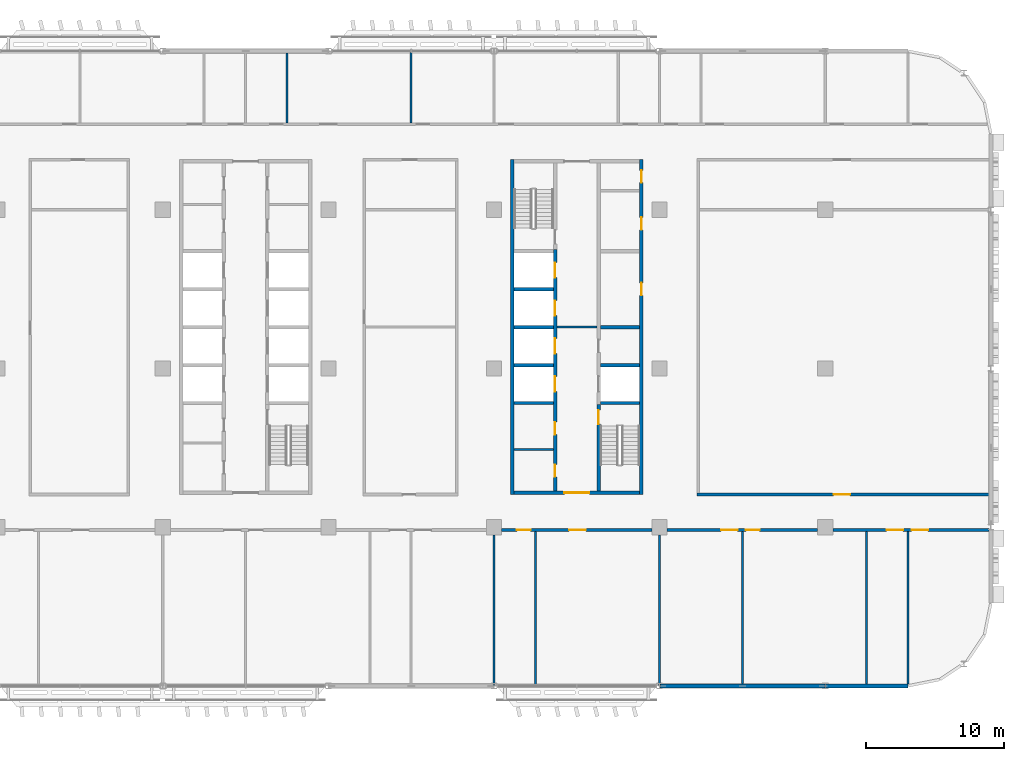
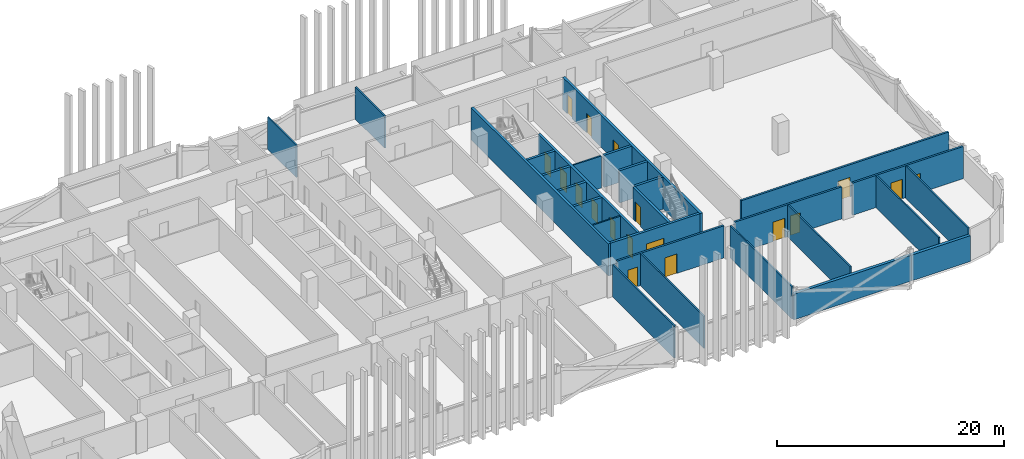
# One storey, part 13 of 28: 28 walls, 18 doors, 18 openings.
"""IFC4 building model written with IfcOpenShell, lengths in metres."""

from ifc_helpers import new_model, si_unit, direction, frame, frame_2d, origin, place, context, subcontext, project, spatial, rectangle, extrude, material, layer, layer_set, type_object, element, fill, save


model = new_model("IFC4")

# Units and contexts
model_context = context("Model", 3, precision=1e-05, world=origin(), true_north=direction((0.0, 1.0)))
body_context = subcontext(model_context, "Body", "Model", "MODEL_VIEW")
ifc_project = project(units=[si_unit("LENGTHUNIT", "METRE"), si_unit("AREAUNIT", "SQUARE_METRE"), si_unit("VOLUMEUNIT", "CUBIC_METRE"), si_unit("PLANEANGLEUNIT", "RADIAN"), si_unit("MASSUNIT", "GRAM", prefix="KILO")], contexts=[model_context])

# Site, building, storey
site_placement = place(None, origin())
site = spatial("IfcSite", under=ifc_project, at=site_placement, CompositionType="ELEMENT")
building_placement = place(site_placement, origin())
building = spatial("IfcBuilding", under=site, at=building_placement, Name="Mahtab Terrace Research Tower", CompositionType="ELEMENT")
storey_placement = place(building_placement, frame((0.0, 0.0, 193.89990234375)))
storey = spatial("IfcBuildingStorey", under=building, at=storey_placement, Name="L46", CompositionType="ELEMENT", Elevation=193.89990234375)

# Walls
ifc_material_1 = material(Name="Gypsum board partition")
ifc_layer_1 = layer(ifc_material_1, 0.14990234375)
ifc_layer_set_1 = layer_set([ifc_layer_1], Name="Core partition 150")
wall_type_1 = type_object("IfcWallType", Name="Core partition 150", PredefinedType="PARTITIONING", material=ifc_layer_set_1)
wall_1_placement = place(storey_placement, frame((22.550048828125, 3.0, 0.0), z_axis=(0.0, 0.0, 1.0), x_axis=(1.0, 0.0, 0.0)))
element("IfcWall", 1, at=wall_1_placement, inside=storey, type_object=wall_type_1, Name="Core wall C ffl", PredefinedType="PARTITIONING", context=body_context, shape_type="SweptSolid", body=[
    extrude(rectangle(XDim=2.89990234375, YDim=0.14990234375, at=frame_2d((1.449951171875, 0.0))), origin(), (0.0, 0.0, 1.0), 3.460205078125),
])
wall_2_placement = place(storey_placement, frame((19.449951171875, -5.875, 0.0), z_axis=(0.0, 0.0, 1.0), x_axis=(1.0, 0.0, 0.0)))
element("IfcWall", 2, at=wall_2_placement, inside=storey, type_object=wall_type_1, Name="Core wall C pWS-888", PredefinedType="PARTITIONING", context=body_context, shape_type="SweptSolid", body=[
    extrude(rectangle(XDim=2.85009765625, YDim=0.14990234375, at=frame_2d((1.425048828125, 0.0))), origin(), (0.0, 0.0, 1.0), 3.460205078125),
])
ifc_material_2 = material(Name="Concrete C70/85", Category="concrete")
ifc_layer_2 = layer(ifc_material_2, 0.25)
ifc_layer_set_2 = layer_set([ifc_layer_2], Name="Core wall 250")
wall_type_2 = type_object("IfcWallType", Name="Core wall 250", PredefinedType="SOLIDWALL", material=ifc_layer_set_2)
wall_3_placement = place(storey_placement, frame((19.324951171875, 15.125, 0.0), z_axis=(0.0, 0.0, 1.0), x_axis=(0.0, -1.0, 0.0)))
element("IfcWall", 3, at=wall_3_placement, inside=storey, type_object=wall_type_2, Name="Core wall C outerW", PredefinedType="SOLIDWALL", context=body_context, shape_type="SweptSolid", body=[
    extrude(rectangle(XDim=24.25, YDim=0.25, at=frame_2d((12.125, 0.0))), origin(), (0.0, 0.0, 1.0), 3.460205078125),
])

# Wall, openings, doors
wall_4_placement = place(storey_placement, frame((28.675048828125, -9.125, 0.0), z_axis=(0.0, 0.0, 1.0), x_axis=(0.0, 1.0, 0.0)))
wall_4 = element("IfcWall", 4, at=wall_4_placement, inside=storey, type_object=wall_type_2, Name="Core wall C outerE", PredefinedType="SOLIDWALL", context=body_context, shape_type="SweptSolid", body=[
    extrude(rectangle(XDim=24.25, YDim=0.25, at=frame_2d((12.125, 0.0))), origin(), (0.0, 0.0, 1.0), 3.460205078125),
])
opening_1_placement = place(wall_4_placement, frame((14.425048828125, 0.0, 0.0)))
opening_1 = element("IfcOpeningElement", 5, at=opening_1_placement, cuts=wall_4, Name="Opening C-R2", PredefinedType="OPENING", context=body_context, shape_type="SweptSolid", body=[
    extrude(rectangle(XDim=0.89990234375, YDim=2.10009765625, at=frame_2d((0.449951171875, 1.050048828125))), frame((0.0, 0.135009765625, 0.0), z_axis=(0.0, -1.0, 0.0), x_axis=(1.0, 0.0, 0.0)), (0.0, 0.0, 1.0), 0.27001953125),
])
opening_2_placement = place(wall_4_placement, frame((19.175048828125, 0.0, 0.0)))
opening_2 = element("IfcOpeningElement", 6, at=opening_2_placement, cuts=wall_4, Name="Opening C-R5", PredefinedType="OPENING", context=body_context, shape_type="SweptSolid", body=[
    extrude(rectangle(XDim=0.89990234375, YDim=2.10009765625, at=frame_2d((0.449951171875, 1.050048828125))), frame((0.0, 0.135009765625, 0.0), z_axis=(0.0, -1.0, 0.0), x_axis=(1.0, 0.0, 0.0)), (0.0, 0.0, 1.0), 0.27001953125),
])
opening_3_placement = place(wall_4_placement, frame((22.58740234375, 0.0, 0.0)))
opening_3 = element("IfcOpeningElement", 7, at=opening_3_placement, cuts=wall_4, Name="Opening C-R6", PredefinedType="OPENING", context=body_context, shape_type="SweptSolid", body=[
    extrude(rectangle(XDim=0.89990234375, YDim=2.10009765625, at=frame_2d((0.449951171875, 1.050048828125))), frame((0.0, 0.135009765625, 0.0), z_axis=(0.0, -1.0, 0.0), x_axis=(1.0, 0.0, 0.0)), (0.0, 0.0, 1.0), 0.27001953125),
])
ifc_material_3 = material(Name="Steel fire door", Category="steel")
door_type_1 = type_object("IfcDoorType", Name="Room door 900x2100 1 HR", OperationType="NOTDEFINED", PredefinedType="DOOR", material=ifc_material_3)
door_1_placement = place(opening_1_placement, origin())
door_1 = element("IfcDoor", 8, at=door_1_placement, inside=storey, type_object=door_type_1, Name="Plant room door", OperationType="SINGLE_SWING_RIGHT", OverallHeight=2.10009765625, OverallWidth=0.89990234375, PredefinedType="DOOR", context=body_context, shape_type="SweptSolid", body=[
    extrude(rectangle(XDim=0.89990234375, YDim=2.10009765625, at=frame_2d((0.449951171875, 1.050048828125))), frame((0.0, 0.02490234375, 0.0), z_axis=(0.0, -1.0, 0.0), x_axis=(1.0, 0.0, 0.0)), (0.0, 0.0, 1.0), 0.050048828125),
])
fill(opening_1, door_1)
door_2_placement = place(opening_2_placement, origin())
door_2 = element("IfcDoor", 9, at=door_2_placement, inside=storey, type_object=door_type_1, Name="IT equipment room door", OperationType="SINGLE_SWING_LEFT", OverallHeight=2.10009765625, OverallWidth=0.89990234375, PredefinedType="DOOR", context=body_context, shape_type="SweptSolid", body=[
    extrude(rectangle(XDim=0.89990234375, YDim=2.10009765625, at=frame_2d((0.449951171875, 1.050048828125))), frame((0.0, 0.02490234375, 0.0), z_axis=(0.0, -1.0, 0.0), x_axis=(1.0, 0.0, 0.0)), (0.0, 0.0, 1.0), 0.050048828125),
])
fill(opening_2, door_2)
door_3_placement = place(opening_3_placement, origin())
door_3 = element("IfcDoor", 10, at=door_3_placement, inside=storey, type_object=door_type_1, Name="Electrical riser room door", OperationType="SINGLE_SWING_RIGHT", OverallHeight=2.10009765625, OverallWidth=0.89990234375, PredefinedType="DOOR", context=body_context, shape_type="SweptSolid", body=[
    extrude(rectangle(XDim=0.89990234375, YDim=2.10009765625, at=frame_2d((0.449951171875, 1.050048828125))), frame((0.0, 0.02490234375, 0.0), z_axis=(0.0, -1.0, 0.0), x_axis=(1.0, 0.0, 0.0)), (0.0, 0.0, 1.0), 0.050048828125),
])
fill(opening_3, door_3)

# Wall, opening, door
wall_5_placement = place(storey_placement, frame((28.550048828125, -9.0, 0.0), z_axis=(0.0, 0.0, 1.0), x_axis=(-1.0, 0.0, 0.0)))
wall_5 = element("IfcWall", 11, at=wall_5_placement, inside=storey, type_object=wall_type_2, Name="Core wall C endS", PredefinedType="SOLIDWALL", context=body_context, shape_type="SweptSolid", body=[
    extrude(rectangle(XDim=9.10009765625, YDim=0.25, at=frame_2d((4.550048828125, 0.0))), origin(), (0.0, 0.0, 1.0), 3.460205078125),
])
opening_4_placement = place(wall_5_placement, frame((3.64990234375, 0.0, 0.0)))
opening_4 = element("IfcOpeningElement", 12, at=opening_4_placement, cuts=wall_5, Name="Opening C-S1", PredefinedType="OPENING", context=body_context, shape_type="SweptSolid", body=[
    extrude(rectangle(XDim=1.800048828125, YDim=2.10009765625, at=frame_2d((0.89990234375, 1.050048828125))), frame((0.0, 0.135009765625, 0.0), z_axis=(0.0, -1.0, 0.0), x_axis=(1.0, 0.0, 0.0)), (0.0, 0.0, 1.0), 0.27001953125),
])
door_type_2 = type_object("IfcDoorType", Name="Lobby double door 1800x2100 1 HR", OperationType="DOUBLE_DOOR_SINGLE_SWING", PredefinedType="DOOR", material=ifc_material_3)
door_4_placement = place(opening_4_placement, origin())
door_4 = element("IfcDoor", 13, at=door_4_placement, inside=storey, type_object=door_type_2, Name="Core entrance door C S", OperationType="DOUBLE_DOOR_SINGLE_SWING", OverallHeight=2.10009765625, OverallWidth=1.800048828125, PredefinedType="DOOR", context=body_context, shape_type="SweptSolid", body=[
    extrude(rectangle(XDim=1.800048828125, YDim=2.10009765625, at=frame_2d((0.89990234375, 1.050048828125))), frame((0.0, 0.02490234375, 0.0), z_axis=(0.0, -1.0, 0.0), x_axis=(1.0, 0.0, 0.0)), (0.0, 0.0, 1.0), 0.050048828125),
])
fill(opening_4, door_4)

# Wall, openings, doors
wall_6_placement = place(storey_placement, frame((22.425048828125, -8.875, 0.0), z_axis=(0.0, 0.0, 1.0), x_axis=(0.0, 1.0, 0.0)))
wall_6 = element("IfcWall", 14, at=wall_6_placement, inside=storey, type_object=wall_type_2, Name="Core wall C innerWSL", PredefinedType="SOLIDWALL", context=body_context, shape_type="SweptSolid", body=[
    extrude(rectangle(XDim=17.5, YDim=0.25, at=frame_2d((8.75, 0.0))), origin(), (0.0, 0.0, 1.0), 3.460205078125),
])
opening_5_placement = place(wall_6_placement, frame((7.199951171875, 0.0, 0.0)))
opening_5 = element("IfcOpeningElement", 15, at=opening_5_placement, cuts=wall_6, Name="Opening LD17-L46", PredefinedType="OPENING", context=body_context, shape_type="SweptSolid", body=[
    extrude(rectangle(XDim=1.10009765625, YDim=2.10009765625, at=frame_2d((0.550048828125, 1.050048828125))), frame((0.0, 0.135009765625, 0.0), z_axis=(0.0, -1.0, 0.0), x_axis=(1.0, 0.0, 0.0)), (0.0, 0.0, 1.0), 0.27001953125),
])
opening_6_placement = place(wall_6_placement, frame((9.949951171875, 0.0, 0.0)))
opening_6 = element("IfcOpeningElement", 16, at=opening_6_placement, cuts=wall_6, Name="Opening LD18-L46", PredefinedType="OPENING", context=body_context, shape_type="SweptSolid", body=[
    extrude(rectangle(XDim=1.10009765625, YDim=2.10009765625, at=frame_2d((0.550048828125, 1.050048828125))), frame((0.0, 0.135009765625, 0.0), z_axis=(0.0, -1.0, 0.0), x_axis=(1.0, 0.0, 0.0)), (0.0, 0.0, 1.0), 0.27001953125),
])
opening_7_placement = place(wall_6_placement, frame((12.699951171875, 0.0, 0.0)))
opening_7 = element("IfcOpeningElement", 17, at=opening_7_placement, cuts=wall_6, Name="Opening LD19-L46", PredefinedType="OPENING", context=body_context, shape_type="SweptSolid", body=[
    extrude(rectangle(XDim=1.10009765625, YDim=2.10009765625, at=frame_2d((0.550048828125, 1.050048828125))), frame((0.0, 0.135009765625, 0.0), z_axis=(0.0, -1.0, 0.0), x_axis=(1.0, 0.0, 0.0)), (0.0, 0.0, 1.0), 0.27001953125),
])
opening_8_placement = place(wall_6_placement, frame((15.449951171875, 0.0, 0.0)))
opening_8 = element("IfcOpeningElement", 18, at=opening_8_placement, cuts=wall_6, Name="Opening LD20-L46", PredefinedType="OPENING", context=body_context, shape_type="SweptSolid", body=[
    extrude(rectangle(XDim=1.10009765625, YDim=2.10009765625, at=frame_2d((0.550048828125, 1.050048828125))), frame((0.0, 0.135009765625, 0.0), z_axis=(0.0, -1.0, 0.0), x_axis=(1.0, 0.0, 0.0)), (0.0, 0.0, 1.0), 0.27001953125),
])
opening_9_placement = place(wall_6_placement, frame((1.012451171875, 0.0, 0.0)))
opening_9 = element("IfcOpeningElement", 19, at=opening_9_placement, cuts=wall_6, Name="Opening C-R3", PredefinedType="OPENING", context=body_context, shape_type="SweptSolid", body=[
    extrude(rectangle(XDim=0.89990234375, YDim=2.10009765625, at=frame_2d((0.449951171875, 1.050048828125))), frame((0.0, 0.135009765625, 0.0), z_axis=(0.0, -1.0, 0.0), x_axis=(1.0, 0.0, 0.0)), (0.0, 0.0, 1.0), 0.27001953125),
])
opening_10_placement = place(wall_6_placement, frame((4.08740234375, 0.0, 0.0)))
opening_10 = element("IfcOpeningElement", 20, at=opening_10_placement, cuts=wall_6, Name="Opening C-R4", PredefinedType="OPENING", context=body_context, shape_type="SweptSolid", body=[
    extrude(rectangle(XDim=0.89990234375, YDim=2.10009765625, at=frame_2d((0.449951171875, 1.050048828125))), frame((0.0, 0.135009765625, 0.0), z_axis=(0.0, -1.0, 0.0), x_axis=(1.0, 0.0, 0.0)), (0.0, 0.0, 1.0), 0.27001953125),
])
ifc_material_4 = material(Name="Stainless steel AISI 304", Category="steel")
door_type_3 = type_object("IfcDoorType", Name="Landing door 1100x2100", OperationType="DOUBLE_DOOR_SLIDING", PredefinedType="DOOR", material=ifc_material_4)
door_5_placement = place(opening_5_placement, origin())
door_5 = element("IfcDoor", 21, at=door_5_placement, inside=storey, type_object=door_type_3, Name="Landing door SV1 L46", OperationType="DOUBLE_DOOR_SLIDING", OverallHeight=2.10009765625, OverallWidth=1.10009765625, PredefinedType="DOOR", context=body_context, shape_type="SweptSolid", body=[
    extrude(rectangle(XDim=1.10009765625, YDim=2.10009765625, at=frame_2d((0.550048828125, 1.050048828125))), frame((0.0, 0.02490234375, 0.0), z_axis=(0.0, -1.0, 0.0), x_axis=(1.0, 0.0, 0.0)), (0.0, 0.0, 1.0), 0.050048828125),
])
fill(opening_5, door_5)
door_6_placement = place(opening_6_placement, origin())
door_6 = element("IfcDoor", 22, at=door_6_placement, inside=storey, type_object=door_type_3, Name="Landing door SV2 L46", OperationType="DOUBLE_DOOR_SLIDING", OverallHeight=2.10009765625, OverallWidth=1.10009765625, PredefinedType="DOOR", context=body_context, shape_type="SweptSolid", body=[
    extrude(rectangle(XDim=1.10009765625, YDim=2.10009765625, at=frame_2d((0.550048828125, 1.050048828125))), frame((0.0, 0.02490234375, 0.0), z_axis=(0.0, -1.0, 0.0), x_axis=(1.0, 0.0, 0.0)), (0.0, 0.0, 1.0), 0.050048828125),
])
fill(opening_6, door_6)
door_7_placement = place(opening_7_placement, origin())
door_7 = element("IfcDoor", 23, at=door_7_placement, inside=storey, type_object=door_type_3, Name="Landing door FF1 L46", OperationType="DOUBLE_DOOR_SLIDING", OverallHeight=2.10009765625, OverallWidth=1.10009765625, PredefinedType="DOOR", context=body_context, shape_type="SweptSolid", body=[
    extrude(rectangle(XDim=1.10009765625, YDim=2.10009765625, at=frame_2d((0.550048828125, 1.050048828125))), frame((0.0, 0.02490234375, 0.0), z_axis=(0.0, -1.0, 0.0), x_axis=(1.0, 0.0, 0.0)), (0.0, 0.0, 1.0), 0.050048828125),
])
fill(opening_7, door_7)
door_8_placement = place(opening_8_placement, origin())
door_8 = element("IfcDoor", 24, at=door_8_placement, inside=storey, type_object=door_type_3, Name="Landing door FF2 L46", OperationType="DOUBLE_DOOR_SLIDING", OverallHeight=2.10009765625, OverallWidth=1.10009765625, PredefinedType="DOOR", context=body_context, shape_type="SweptSolid", body=[
    extrude(rectangle(XDim=1.10009765625, YDim=2.10009765625, at=frame_2d((0.550048828125, 1.050048828125))), frame((0.0, 0.02490234375, 0.0), z_axis=(0.0, -1.0, 0.0), x_axis=(1.0, 0.0, 0.0)), (0.0, 0.0, 1.0), 0.050048828125),
])
fill(opening_8, door_8)
door_9_placement = place(opening_9_placement, origin())
door_9 = element("IfcDoor", 25, at=door_9_placement, inside=storey, type_object=door_type_1, Name="Staff WC door", OperationType="SINGLE_SWING_LEFT", OverallHeight=2.10009765625, OverallWidth=0.89990234375, PredefinedType="DOOR", context=body_context, shape_type="SweptSolid", body=[
    extrude(rectangle(XDim=0.89990234375, YDim=2.10009765625, at=frame_2d((0.449951171875, 1.050048828125))), frame((0.0, 0.02490234375, 0.0), z_axis=(0.0, -1.0, 0.0), x_axis=(1.0, 0.0, 0.0)), (0.0, 0.0, 1.0), 0.050048828125),
])
fill(opening_9, door_9)
door_10_placement = place(opening_10_placement, origin())
door_10 = element("IfcDoor", 26, at=door_10_placement, inside=storey, type_object=door_type_1, Name="Accessible WC door", OperationType="SINGLE_SWING_RIGHT", OverallHeight=2.10009765625, OverallWidth=0.89990234375, PredefinedType="DOOR", context=body_context, shape_type="SweptSolid", body=[
    extrude(rectangle(XDim=0.89990234375, YDim=2.10009765625, at=frame_2d((0.449951171875, 1.050048828125))), frame((0.0, 0.02490234375, 0.0), z_axis=(0.0, -1.0, 0.0), x_axis=(1.0, 0.0, 0.0)), (0.0, 0.0, 1.0), 0.050048828125),
])
fill(opening_10, door_10)

# Wall, opening, door
wall_7_placement = place(storey_placement, frame((25.574951171875, -8.875, 0.0), z_axis=(0.0, 0.0, 1.0), x_axis=(0.0, 1.0, 0.0)))
wall_7 = element("IfcWall", 27, at=wall_7_placement, inside=storey, type_object=wall_type_2, Name="Core wall C innerES", PredefinedType="SOLIDWALL", context=body_context, shape_type="SweptSolid", body=[
    extrude(rectangle(XDim=6.25, YDim=0.25, at=frame_2d((3.125, 0.0))), origin(), (0.0, 0.0, 1.0), 3.460205078125),
])
opening_11_placement = place(wall_7_placement, frame((4.85009765625, 0.0, 0.0)))
opening_11 = element("IfcOpeningElement", 28, at=opening_11_placement, cuts=wall_7, Name="Opening C-ST4", PredefinedType="OPENING", context=body_context, shape_type="SweptSolid", body=[
    extrude(rectangle(XDim=1.0, YDim=2.10009765625, at=frame_2d((0.5, 1.050048828125))), frame((0.0, 0.135009765625, 0.0), z_axis=(0.0, -1.0, 0.0), x_axis=(1.0, 0.0, 0.0)), (0.0, 0.0, 1.0), 0.27001953125),
])
door_type_4 = type_object("IfcDoorType", Name="Stair door 1000x2100 1.5 HR", OperationType="NOTDEFINED", PredefinedType="DOOR", material=ifc_material_3)
door_11_placement = place(opening_11_placement, origin())
door_11 = element("IfcDoor", 29, at=door_11_placement, inside=storey, type_object=door_type_4, Name="Stair door ST4 L46", OperationType="SINGLE_SWING_RIGHT", OverallHeight=2.10009765625, OverallWidth=1.0, PredefinedType="DOOR", context=body_context, shape_type="SweptSolid", body=[
    extrude(rectangle(XDim=1.0, YDim=2.10009765625, at=frame_2d((0.5, 1.050048828125))), frame((0.0, 0.02490234375, 0.0), z_axis=(0.0, -1.0, 0.0), x_axis=(1.0, 0.0, 0.0)), (0.0, 0.0, 1.0), 0.050048828125),
])
fill(opening_11, door_11)

# Walls
for number, where, z_axis, x_axis, name in (
    (30, (19.449951171875, -2.5, 0.0), (0.0, 0.0, 1.0), (1.0, 0.0, 0.0), "Core wall C divW0"),
    (31, (19.449951171875, 0.25, 0.0), (0.0, 0.0, 1.0), (1.0, 0.0, 0.0), "Core wall C divW1"),
    (32, (19.449951171875, 3.0, 0.0), (0.0, 0.0, 1.0), (1.0, 0.0, 0.0), "Core wall C divW2"),
    (33, (19.449951171875, 5.75, 0.0), (0.0, 0.0, 1.0), (1.0, 0.0, 0.0), "Core wall C divW3"),
    (34, (25.699951171875, -2.5, 0.0), (0.0, 0.0, 1.0), (1.0, 0.0, 0.0), "Core wall C divE0"),
    (35, (25.699951171875, 0.25, 0.0), (0.0, 0.0, 1.0), (1.0, 0.0, 0.0), "Core wall C divE1"),
    (36, (25.699951171875, 3.0, 0.0), (0.0, 0.0, 1.0), (1.0, 0.0, 0.0), "Core wall C divE2"),
):
    element("IfcWall", number, at=place(storey_placement, frame(where, z_axis=z_axis, x_axis=x_axis)), inside=storey, type_object=wall_type_2, Name=name, PredefinedType="SOLIDWALL", context=body_context, shape_type="SweptSolid", body=[
        extrude(rectangle(XDim=2.85009765625, YDim=0.25, at=frame_2d((1.425048828125, 0.0))), origin(), (0.0, 0.0, 1.0), 3.460205078125),
    ])
ifc_material_5 = material(Name="Black aluminium cladding panel", Category="aluminium")
ifc_layer_3 = layer(ifc_material_5, 0.300048828125)
ifc_layer_set_3 = layer_set([ifc_layer_3], Name="Opaque facade wall 300")
wall_type_3 = type_object("IfcWallType", Name="Opaque facade wall 300", PredefinedType="NOTDEFINED", material=ifc_layer_set_3)
wall_8_placement = place(storey_placement, frame((30.012451171875, -23.0, 0.0), z_axis=(0.0, 0.0, 1.0), x_axis=(1.0, 0.0, 0.0)))
element("IfcWall", 37, at=wall_8_placement, inside=storey, type_object=wall_type_3, Name="Opaque facade wall L46 S29", PredefinedType="NOTDEFINED", context=body_context, shape_type="SweptSolid", body=[
    extrude(rectangle(XDim=11.97509765625, YDim=0.300048828125, at=frame_2d((5.987548828125, 0.0))), origin(), (0.0, 0.0, 1.0), 2.781982421875),
])
wall_9_placement = place(storey_placement, frame((42.012451171875, -23.0, 0.0), z_axis=(0.0, 0.0, 1.0), x_axis=(1.0, 0.0, 0.0)))
element("IfcWall", 38, at=wall_9_placement, inside=storey, type_object=wall_type_3, Name="Opaque facade wall L46 S30", PredefinedType="NOTDEFINED", context=body_context, shape_type="SweptSolid", body=[
    extrude(rectangle(XDim=5.987548828125, YDim=0.300048828125, at=frame_2d((2.99365234375, 0.0))), origin(), (0.0, 0.0, 1.0), 2.781982421875),
])

# Wall, openings, doors
ifc_material_6 = material(Name="Gypsum board corridor wall on steel studs", Category="steel")
ifc_layer_4 = layer(ifc_material_6, 0.199951171875)
ifc_layer_set_4 = layer_set([ifc_layer_4], Name="WALL CORRIDOR 200")
wall_type_4 = type_object("IfcWallType", Name="WALL CORRIDOR 200", PredefinedType="PARTITIONING", material=ifc_layer_set_4)
wall_10_placement = place(storey_placement, frame((18.550048828125, -11.699951171875, 0.0), z_axis=(0.0, 0.0, 1.0), x_axis=(1.0, 0.0, 0.0)))
wall_10 = element("IfcWall", 39, at=wall_10_placement, inside=storey, type_object=wall_type_4, Name="L46-W006", PredefinedType="PARTITIONING", context=body_context, shape_type="SweptSolid", body=[
    extrude(rectangle(XDim=10.89990234375, YDim=0.199951171875, at=frame_2d((5.449951171875, 0.0))), origin(), (0.0, 0.0, 1.0), 3.460205078125),
])
opening_12_placement = place(wall_10_placement, frame((1.10009765625, 0.0, 0.0)))
opening_12 = element("IfcOpeningElement", 40, at=opening_12_placement, cuts=wall_10, Name="Opening L46-111", PredefinedType="OPENING", context=body_context, shape_type="SweptSolid", body=[
    extrude(rectangle(XDim=1.0, YDim=2.10009765625, at=frame_2d((0.5, 1.050048828125))), frame((0.0, 0.10986328125, 0.0), z_axis=(0.0, -1.0, 0.0), x_axis=(1.0, 0.0, 0.0)), (0.0, 0.0, 1.0), 0.219970703125),
])
opening_13_placement = place(wall_10_placement, frame((4.89990234375, 0.0, 0.0)))
opening_13 = element("IfcOpeningElement", 41, at=opening_13_placement, cuts=wall_10, Name="Opening L46-112", PredefinedType="OPENING", context=body_context, shape_type="SweptSolid", body=[
    extrude(rectangle(XDim=1.199951171875, YDim=2.10009765625, at=frame_2d((0.60009765625, 1.050048828125))), frame((0.0, 0.10986328125, 0.0), z_axis=(0.0, -1.0, 0.0), x_axis=(1.0, 0.0, 0.0)), (0.0, 0.0, 1.0), 0.219970703125),
])
ifc_material_7 = material(Name="Timber door leaf in steel frame", Category="steel")
door_type_5 = type_object("IfcDoorType", Name="DOOR 1000X2100 FD30S", OperationType="SINGLE_SWING_LEFT", PredefinedType="DOOR", material=ifc_material_7)
door_12_placement = place(opening_12_placement, origin())
door_12 = element("IfcDoor", 42, at=door_12_placement, inside=storey, type_object=door_type_5, Name="Door L46-111", OperationType="SINGLE_SWING_RIGHT", OverallHeight=2.10009765625, OverallWidth=1.0, PredefinedType="DOOR", context=body_context, shape_type="SweptSolid", body=[
    extrude(rectangle(XDim=1.0, YDim=2.10009765625, at=frame_2d((0.5, 1.050048828125))), frame((0.0, 0.02490234375, 0.0), z_axis=(0.0, -1.0, 0.0), x_axis=(1.0, 0.0, 0.0)), (0.0, 0.0, 1.0), 0.050048828125),
])
fill(opening_12, door_12)
door_type_6 = type_object("IfcDoorType", Name="DOOR 1200X2100 FD30S", OperationType="SINGLE_SWING_LEFT", PredefinedType="DOOR", material=ifc_material_7)
door_13_placement = place(opening_13_placement, origin())
door_13 = element("IfcDoor", 43, at=door_13_placement, inside=storey, type_object=door_type_6, Name="Door L46-112", OperationType="SINGLE_SWING_LEFT", OverallHeight=2.10009765625, OverallWidth=1.199951171875, PredefinedType="DOOR", context=body_context, shape_type="SweptSolid", body=[
    extrude(rectangle(XDim=1.199951171875, YDim=2.10009765625, at=frame_2d((0.60009765625, 1.050048828125))), frame((0.0, 0.02490234375, 0.0), z_axis=(0.0, -1.0, 0.0), x_axis=(1.0, 0.0, 0.0)), (0.0, 0.0, 1.0), 0.050048828125),
])
fill(opening_13, door_13)

wall_11_placement = place(storey_placement, frame((30.550048828125, -11.699951171875, 0.0), z_axis=(0.0, 0.0, 1.0), x_axis=(1.0, 0.0, 0.0)))
wall_11 = element("IfcWall", 44, at=wall_11_placement, inside=storey, type_object=wall_type_4, Name="L46-W007", PredefinedType="PARTITIONING", context=body_context, shape_type="SweptSolid", body=[
    extrude(rectangle(XDim=10.89990234375, YDim=0.199951171875, at=frame_2d((5.449951171875, 0.0))), origin(), (0.0, 0.0, 1.0), 3.460205078125),
])
opening_14_placement = place(wall_11_placement, frame((3.89990234375, 0.0, 0.0)))
opening_14 = element("IfcOpeningElement", 45, at=opening_14_placement, cuts=wall_11, Name="Opening L46-113", PredefinedType="OPENING", context=body_context, shape_type="SweptSolid", body=[
    extrude(rectangle(XDim=1.199951171875, YDim=2.10009765625, at=frame_2d((0.60009765625, 1.050048828125))), frame((0.0, 0.10986328125, 0.0), z_axis=(0.0, -1.0, 0.0), x_axis=(1.0, 0.0, 0.0)), (0.0, 0.0, 1.0), 0.219970703125),
])
opening_15_placement = place(wall_11_placement, frame((5.699951171875, 0.0, 0.0)))
opening_15 = element("IfcOpeningElement", 46, at=opening_15_placement, cuts=wall_11, Name="Opening L46-114", PredefinedType="OPENING", context=body_context, shape_type="SweptSolid", body=[
    extrude(rectangle(XDim=1.0, YDim=2.10009765625, at=frame_2d((0.5, 1.050048828125))), frame((0.0, 0.10986328125, 0.0), z_axis=(0.0, -1.0, 0.0), x_axis=(1.0, 0.0, 0.0)), (0.0, 0.0, 1.0), 0.219970703125),
])
door_14_placement = place(opening_15_placement, origin())
door_14 = element("IfcDoor", 47, at=door_14_placement, inside=storey, type_object=door_type_5, Name="Door L46-114", OperationType="SINGLE_SWING_LEFT", OverallHeight=2.10009765625, OverallWidth=1.0, PredefinedType="DOOR", context=body_context, shape_type="SweptSolid", body=[
    extrude(rectangle(XDim=1.0, YDim=2.10009765625, at=frame_2d((0.5, 1.050048828125))), frame((0.0, 0.02490234375, 0.0), z_axis=(0.0, -1.0, 0.0), x_axis=(1.0, 0.0, 0.0)), (0.0, 0.0, 1.0), 0.050048828125),
])
fill(opening_15, door_14)
door_15_placement = place(opening_14_placement, origin())
door_15 = element("IfcDoor", 48, at=door_15_placement, inside=storey, type_object=door_type_6, Name="Door L46-113", OperationType="SINGLE_SWING_RIGHT", OverallHeight=2.10009765625, OverallWidth=1.199951171875, PredefinedType="DOOR", context=body_context, shape_type="SweptSolid", body=[
    extrude(rectangle(XDim=1.199951171875, YDim=2.10009765625, at=frame_2d((0.60009765625, 1.050048828125))), frame((0.0, 0.02490234375, 0.0), z_axis=(0.0, -1.0, 0.0), x_axis=(1.0, 0.0, 0.0)), (0.0, 0.0, 1.0), 0.050048828125),
])
fill(opening_14, door_15)

wall_12_placement = place(storey_placement, frame((42.550048828125, -11.699951171875, 0.0), z_axis=(0.0, 0.0, 1.0), x_axis=(1.0, 0.0, 0.0)))
wall_12 = element("IfcWall", 49, at=wall_12_placement, inside=storey, type_object=wall_type_4, Name="L46-W008", PredefinedType="PARTITIONING", context=body_context, shape_type="SweptSolid", body=[
    extrude(rectangle(XDim=11.300048828125, YDim=0.199951171875, at=frame_2d((5.64990234375, 0.0))), origin(), (0.0, 0.0, 1.0), 3.460205078125),
])
opening_16_placement = place(wall_12_placement, frame((3.89990234375, 0.0, 0.0)))
opening_16 = element("IfcOpeningElement", 50, at=opening_16_placement, cuts=wall_12, Name="Opening L46-115", PredefinedType="OPENING", context=body_context, shape_type="SweptSolid", body=[
    extrude(rectangle(XDim=1.199951171875, YDim=2.10009765625, at=frame_2d((0.60009765625, 1.050048828125))), frame((0.0, 0.10986328125, 0.0), z_axis=(0.0, -1.0, 0.0), x_axis=(1.0, 0.0, 0.0)), (0.0, 0.0, 1.0), 0.219970703125),
])
opening_17_placement = place(wall_12_placement, frame((5.699951171875, 0.0, 0.0)))
opening_17 = element("IfcOpeningElement", 51, at=opening_17_placement, cuts=wall_12, Name="Opening L46-116", PredefinedType="OPENING", context=body_context, shape_type="SweptSolid", body=[
    extrude(rectangle(XDim=1.199951171875, YDim=2.10009765625, at=frame_2d((0.60009765625, 1.050048828125))), frame((0.0, 0.10986328125, 0.0), z_axis=(0.0, -1.0, 0.0), x_axis=(1.0, 0.0, 0.0)), (0.0, 0.0, 1.0), 0.219970703125),
])
door_16_placement = place(opening_16_placement, origin())
door_16 = element("IfcDoor", 52, at=door_16_placement, inside=storey, type_object=door_type_6, Name="Door L46-115", OperationType="SINGLE_SWING_RIGHT", OverallHeight=2.10009765625, OverallWidth=1.199951171875, PredefinedType="DOOR", context=body_context, shape_type="SweptSolid", body=[
    extrude(rectangle(XDim=1.199951171875, YDim=2.10009765625, at=frame_2d((0.60009765625, 1.050048828125))), frame((0.0, 0.02490234375, 0.0), z_axis=(0.0, -1.0, 0.0), x_axis=(1.0, 0.0, 0.0)), (0.0, 0.0, 1.0), 0.050048828125),
])
fill(opening_16, door_16)
door_17_placement = place(opening_17_placement, origin())
door_17 = element("IfcDoor", 53, at=door_17_placement, inside=storey, type_object=door_type_6, Name="Door L46-116", OperationType="SINGLE_SWING_LEFT", OverallHeight=2.10009765625, OverallWidth=1.199951171875, PredefinedType="DOOR", context=body_context, shape_type="SweptSolid", body=[
    extrude(rectangle(XDim=1.199951171875, YDim=2.10009765625, at=frame_2d((0.60009765625, 1.050048828125))), frame((0.0, 0.02490234375, 0.0), z_axis=(0.0, -1.0, 0.0), x_axis=(1.0, 0.0, 0.0)), (0.0, 0.0, 1.0), 0.050048828125),
])
fill(opening_17, door_17)

# Wall, opening, door
wall_13_placement = place(storey_placement, frame((32.699951171875, -9.125, 0.0), z_axis=(0.0, 0.0, 1.0), x_axis=(1.0, 0.0, 0.0)))
wall_13 = element("IfcWall", 54, at=wall_13_placement, inside=storey, type_object=wall_type_4, Name="L46-W012", PredefinedType="PARTITIONING", context=body_context, shape_type="SweptSolid", body=[
    extrude(rectangle(XDim=21.150146484375, YDim=0.199951171875, at=frame_2d((10.5751953125, 0.0))), origin(), (0.0, 0.0, 1.0), 3.460205078125),
])
opening_18_placement = place(wall_13_placement, frame((9.89990234375, 0.0, 0.0)))
opening_18 = element("IfcOpeningElement", 55, at=opening_18_placement, cuts=wall_13, Name="Opening L46-120", PredefinedType="OPENING", context=body_context, shape_type="SweptSolid", body=[
    extrude(rectangle(XDim=1.199951171875, YDim=2.10009765625, at=frame_2d((0.60009765625, 1.050048828125))), frame((0.0, 0.10986328125, 0.0), z_axis=(0.0, -1.0, 0.0), x_axis=(1.0, 0.0, 0.0)), (0.0, 0.0, 1.0), 0.219970703125),
])
door_18_placement = place(opening_18_placement, origin())
door_18 = element("IfcDoor", 56, at=door_18_placement, inside=storey, type_object=door_type_6, Name="Door L46-120", OperationType="SINGLE_SWING_LEFT", OverallHeight=2.10009765625, OverallWidth=1.199951171875, PredefinedType="DOOR", context=body_context, shape_type="SweptSolid", body=[
    extrude(rectangle(XDim=1.199951171875, YDim=2.10009765625, at=frame_2d((0.60009765625, 1.050048828125))), frame((0.0, 0.02490234375, 0.0), z_axis=(0.0, -1.0, 0.0), x_axis=(1.0, 0.0, 0.0)), (0.0, 0.0, 1.0), 0.050048828125),
])
fill(opening_18, door_18)

# Walls
ifc_material_8 = material(Name="Gypsum board partition on steel studs", Category="steel")
ifc_layer_5 = layer(ifc_material_8, 0.14990234375)
ifc_layer_set_5 = layer_set([ifc_layer_5], Name="WALL PARTITION 150")
wall_type_5 = type_object("IfcWallType", Name="WALL PARTITION 150", PredefinedType="PARTITIONING", material=ifc_layer_set_5)
wall_14_placement = place(storey_placement, frame((3.0, 17.800048828125, 0.0), z_axis=(0.0, 0.0, 1.0), x_axis=(0.0, 1.0, 0.0)))
element("IfcWall", 57, at=wall_14_placement, inside=storey, type_object=wall_type_5, Name="L46-W042", PredefinedType="PARTITIONING", context=body_context, shape_type="SweptSolid", body=[
    extrude(rectangle(XDim=5.050048828125, YDim=0.14990234375, at=frame_2d((2.52490234375, 0.0))), origin(), (0.0, 0.0, 1.0), 3.460205078125),
])
wall_15_placement = place(storey_placement, frame((12.0, 17.800048828125, 0.0), z_axis=(0.0, 0.0, 1.0), x_axis=(0.0, 1.0, 0.0)))
element("IfcWall", 58, at=wall_15_placement, inside=storey, type_object=wall_type_5, Name="L46-W046", PredefinedType="PARTITIONING", context=body_context, shape_type="SweptSolid", body=[
    extrude(rectangle(XDim=5.175048828125, YDim=0.14990234375, at=frame_2d((2.58740234375, 0.0))), origin(), (0.0, 0.0, 1.0), 3.460205078125),
])
wall_16_placement = place(storey_placement, frame((18.0, -22.97509765625, 0.0), z_axis=(0.0, 0.0, 1.0), x_axis=(0.0, 1.0, 0.0)))
element("IfcWall", 59, at=wall_16_placement, inside=storey, type_object=wall_type_5, Name="L46-W048", PredefinedType="PARTITIONING", context=body_context, shape_type="SweptSolid", body=[
    extrude(rectangle(XDim=10.925048828125, YDim=0.14990234375, at=frame_2d((5.46240234375, 0.0))), origin(), (0.0, 0.0, 1.0), 3.460205078125),
])
wall_17_placement = place(storey_placement, frame((21.0, -22.97509765625, 0.0), z_axis=(0.0, 0.0, 1.0), x_axis=(0.0, 1.0, 0.0)))
element("IfcWall", 60, at=wall_17_placement, inside=storey, type_object=wall_type_5, Name="L46-W050", PredefinedType="PARTITIONING", context=body_context, shape_type="SweptSolid", body=[
    extrude(rectangle(XDim=11.175048828125, YDim=0.14990234375, at=frame_2d((5.58740234375, 0.0))), origin(), (0.0, 0.0, 1.0), 3.460205078125),
])
wall_18_placement = place(storey_placement, frame((30.0, -22.97509765625, 0.0), z_axis=(0.0, 0.0, 1.0), x_axis=(0.0, 1.0, 0.0)))
element("IfcWall", 61, at=wall_18_placement, inside=storey, type_object=wall_type_5, Name="L46-W052", PredefinedType="PARTITIONING", context=body_context, shape_type="SweptSolid", body=[
    extrude(rectangle(XDim=10.925048828125, YDim=0.14990234375, at=frame_2d((5.46240234375, 0.0))), origin(), (0.0, 0.0, 1.0), 3.460205078125),
])
for number, where, z_axis, x_axis, name in (
    (62, (36.0, -22.85009765625, 0.0), (0.0, 0.0, 1.0), (0.0, 1.0, 0.0), "L46-W056"),
    (63, (45.0, -22.85009765625, 0.0), (0.0, 0.0, 1.0), (0.0, 1.0, 0.0), "L46-W058"),
):
    element("IfcWall", number, at=place(storey_placement, frame(where, z_axis=z_axis, x_axis=x_axis)), inside=storey, type_object=wall_type_5, Name=name, PredefinedType="PARTITIONING", context=body_context, shape_type="SweptSolid", body=[
        extrude(rectangle(XDim=11.050048828125, YDim=0.14990234375, at=frame_2d((5.52490234375, 0.0))), origin(), (0.0, 0.0, 1.0), 3.460205078125),
    ])
wall_19_placement = place(storey_placement, frame((48.0, -22.84716796875, 0.0), z_axis=(0.0, 0.0, 1.0), x_axis=(0.0, 1.0, 0.0)))
element("IfcWall", 64, at=wall_19_placement, inside=storey, type_object=wall_type_5, Name="L46-W059", PredefinedType="PARTITIONING", context=body_context, shape_type="SweptSolid", body=[
    extrude(rectangle(XDim=11.047119140625, YDim=0.14990234375, at=frame_2d((5.5234375, 0.0))), origin(), (0.0, 0.0, 1.0), 3.460205078125),
])

save(model, "model.ifc")
